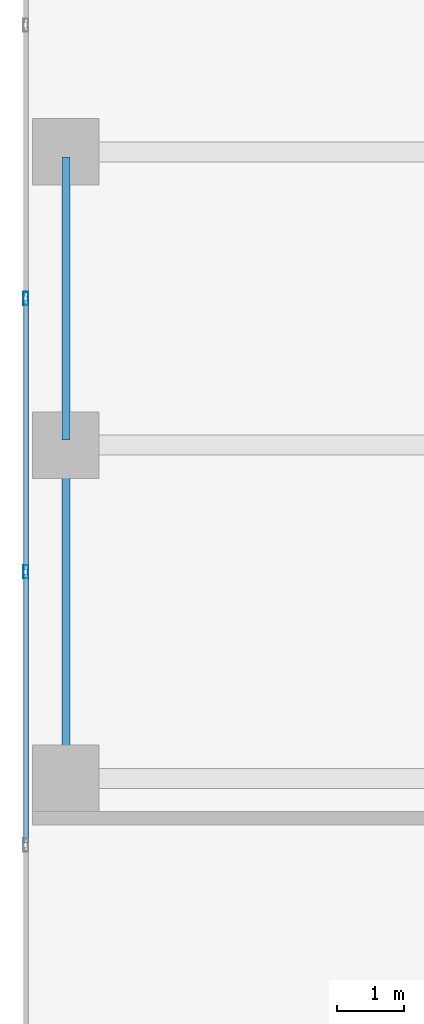
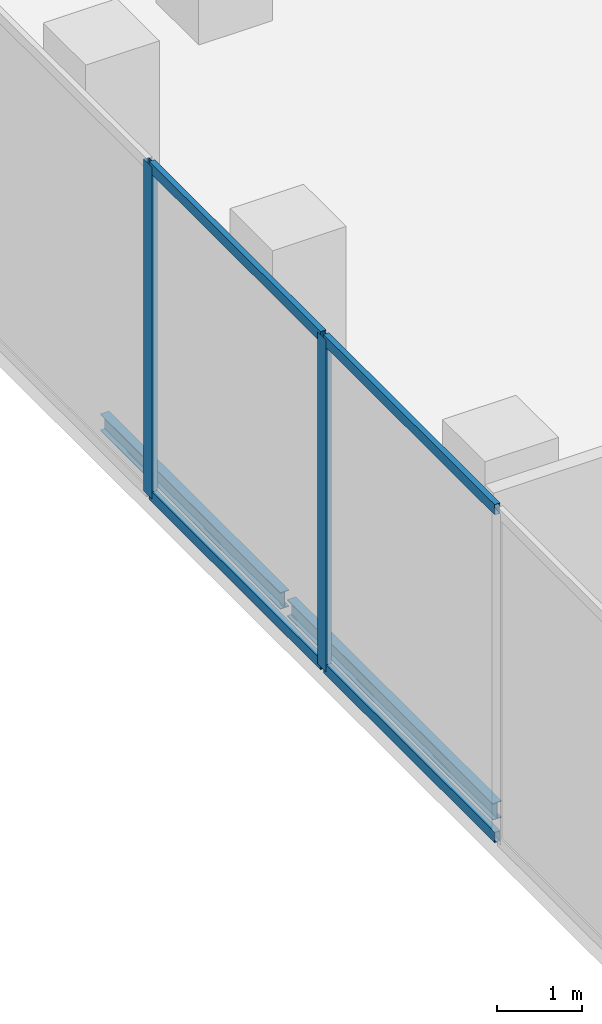
# One storey, part 3 of 24: 8 members, 1 element without a shape of its own.
"""IFC4 building model written with IfcOpenShell, lengths in metres."""

from ifc_helpers import new_model, si_unit, direction, frame, origin, origin_2d, place, context, subcontext, project, spatial, hollow_rectangle, i_section, extrude, material, layer, layer_set, material_profile, profile_set, type_object, element, aggregate, save


model = new_model("IFC4")

# Units and contexts
model_context = context("Model", 3, precision=1e-05, world=origin(), true_north=direction((0.0, 1.0)))
body_context = subcontext(model_context, "Body", "Model", "MODEL_VIEW")
ifc_project = project(units=[si_unit("LENGTHUNIT", "METRE"), si_unit("AREAUNIT", "SQUARE_METRE"), si_unit("VOLUMEUNIT", "CUBIC_METRE"), si_unit("PLANEANGLEUNIT", "RADIAN"), si_unit("MASSUNIT", "GRAM", prefix="KILO")], contexts=[model_context])

# Site, building, storey
site_placement = place(None, origin())
site = spatial("IfcSite", under=ifc_project, at=site_placement, CompositionType="ELEMENT")
building_placement = place(site_placement, origin())
building = spatial("IfcBuilding", under=site, at=building_placement, Name="Catumbela Crestline Tower", CompositionType="ELEMENT")
storey_placement = place(building_placement, frame((0.0, 0.0, 6.0)))
storey = spatial("IfcBuildingStorey", under=building, at=storey_placement, Name="L01", CompositionType="ELEMENT", Elevation=6.0)

# Members
ifc_material_1 = material(Name="Structural steel S355J2", Category="steel")
ifc_material_profile_1 = material_profile(ifc_material_1, i_section(OverallWidth=0.12, OverallDepth=0.24, WebThickness=0.0062, FlangeThickness=0.0098, FilletRadius=0.015, at=origin_2d()), Name="IPE 240")
ifc_profile_set_1 = profile_set([ifc_material_profile_1], Name="Structural steel S355J2")
member_type_1 = type_object("IfcMemberType", Name="MP-240", PredefinedType="PURLIN", material=ifc_profile_set_1)
member_1_placement = place(storey_placement, frame((0.6, 8.68, -0.44), z_axis=(0.0, 1.0, 0.0), x_axis=(-1.0, 0.0, 0.0)))
element("IfcMember", 1, at=member_1_placement, inside=storey, type_object=member_type_1, Name="L01 Ballroom West Perimeter Sub-Framing Purlin 1", PredefinedType="PURLIN", context=body_context, shape_type="SweptSolid", body=[
    extrude(i_section(OverallWidth=0.12, OverallDepth=0.24, WebThickness=0.0062, FlangeThickness=0.0098, FilletRadius=0.015, at=origin_2d()), origin(), (0.0, 0.0, 1.0), 4.84),
])
member_2_placement = place(storey_placement, frame((0.6, 13.68, -0.44), z_axis=(0.0, 1.0, 0.0), x_axis=(-1.0, 0.0, 0.0)))
element("IfcMember", 2, at=member_2_placement, inside=storey, type_object=member_type_1, Name="L01 Ballroom West Perimeter Sub-Framing Purlin 2", PredefinedType="PURLIN", context=body_context, shape_type="SweptSolid", body=[
    extrude(i_section(OverallWidth=0.12, OverallDepth=0.24, WebThickness=0.0062, FlangeThickness=0.0098, FilletRadius=0.015, at=origin_2d()), origin(), (0.0, 0.0, 1.0), 4.24),
])

# Curtain wall, members
ifc_material_2 = material(Name="Aluminium alloy AW-6060-T66", Category="aluminium")
ifc_layer = layer(ifc_material_2, 0.18, Name="Aluminium alloy AW-6060-T66")
ifc_layer_set = layer_set([ifc_layer], Name="Aluminium alloy AW-6060-T66")
curtain_wall_type = type_object("IfcCurtainWallType", Name="CWS-POD", PredefinedType="USERDEFINED", material=ifc_layer_set)
curtain_wall_placement = place(storey_placement, origin())
curtain_wall = element("IfcCurtainWall", 3, at=curtain_wall_placement, inside=storey, type_object=curtain_wall_type, Name="L01 Stick Curtain Wall CW-L01-E9S1", ObjectType="STICK", PredefinedType="USERDEFINED")
ifc_material_profile_2 = material_profile(ifc_material_2, hollow_rectangle(XDim=0.075, YDim=0.2, WallThickness=0.005, at=origin_2d()), Name="ALU 200x75x5")
ifc_profile_set_2 = profile_set([ifc_material_profile_2], Name="Aluminium alloy AW-6060-T66")
member_type_2 = type_object("IfcMemberType", Name="MUL-200X75", PredefinedType="MULLION", material=ifc_profile_set_2)
member_3_placement = place(storey_placement, frame((0.0, 15.8, 0.0), z_axis=(0.0, 0.0, 1.0), x_axis=(1.0, 0.0, 0.0)))
member_3 = element("IfcMember", 4, at=member_3_placement, type_object=member_type_2, Name="CWS-POD mullion 8", PredefinedType="MULLION", context=body_context, shape_type="SweptSolid", body=[
    extrude(hollow_rectangle(XDim=0.075, YDim=0.2, WallThickness=0.005, at=origin_2d()), origin(), (0.0, 0.0, 1.0), 4.77),
])
member_4_placement = place(storey_placement, frame((0.0, 11.7, 0.0), z_axis=(0.0, 0.0, 1.0), x_axis=(1.0, 0.0, 0.0)))
member_4 = element("IfcMember", 5, at=member_4_placement, type_object=member_type_2, Name="CWS-POD mullion 9", PredefinedType="MULLION", context=body_context, shape_type="SweptSolid", body=[
    extrude(hollow_rectangle(XDim=0.075, YDim=0.2, WallThickness=0.005, at=origin_2d()), origin(), (0.0, 0.0, 1.0), 4.77),
])
ifc_material_profile_3 = material_profile(ifc_material_2, hollow_rectangle(XDim=0.075, YDim=0.15, WallThickness=0.0045, at=origin_2d()), Name="ALU 150x75x4.5")
ifc_profile_set_3 = profile_set([ifc_material_profile_3], Name="Aluminium alloy AW-6060-T66")
member_type_3 = type_object("IfcMemberType", Name="TRN-150X75", PredefinedType="USERDEFINED", material=ifc_profile_set_3)
member_5_placement = place(storey_placement, frame((0.0, 15.7675, 0.03), z_axis=(0.0, -1.0, 0.0), x_axis=(1.0, 0.0, 0.0)))
member_5 = element("IfcMember", 6, at=member_5_placement, type_object=member_type_3, Name="CWS-POD transom 8.1", ObjectType="TRANSOM", PredefinedType="USERDEFINED", context=body_context, shape_type="SweptSolid", body=[
    extrude(hollow_rectangle(XDim=0.075, YDim=0.15, WallThickness=0.0045, at=origin_2d()), origin(), (0.0, 0.0, 1.0), 4.035),
])
member_6_placement = place(storey_placement, frame((0.0, 15.7675, 4.74), z_axis=(0.0, -1.0, 0.0), x_axis=(1.0, 0.0, 0.0)))
member_6 = element("IfcMember", 7, at=member_6_placement, type_object=member_type_3, Name="CWS-POD transom 8.2", ObjectType="TRANSOM", PredefinedType="USERDEFINED", context=body_context, shape_type="SweptSolid", body=[
    extrude(hollow_rectangle(XDim=0.075, YDim=0.15, WallThickness=0.0045, at=origin_2d()), origin(), (0.0, 0.0, 1.0), 4.035),
])
member_7_placement = place(storey_placement, frame((0.0, 11.6675, 0.03), z_axis=(0.0, -1.0, 0.0), x_axis=(1.0, 0.0, 0.0)))
member_7 = element("IfcMember", 8, at=member_7_placement, type_object=member_type_3, Name="CWS-POD transom 9.1", ObjectType="TRANSOM", PredefinedType="USERDEFINED", context=body_context, shape_type="SweptSolid", body=[
    extrude(hollow_rectangle(XDim=0.075, YDim=0.15, WallThickness=0.0045, at=origin_2d()), origin(), (0.0, 0.0, 1.0), 4.035),
])
member_8_placement = place(storey_placement, frame((0.0, 11.6675, 4.74), z_axis=(0.0, -1.0, 0.0), x_axis=(1.0, 0.0, 0.0)))
member_8 = element("IfcMember", 9, at=member_8_placement, type_object=member_type_3, Name="CWS-POD transom 9.2", ObjectType="TRANSOM", PredefinedType="USERDEFINED", context=body_context, shape_type="SweptSolid", body=[
    extrude(hollow_rectangle(XDim=0.075, YDim=0.15, WallThickness=0.0045, at=origin_2d()), origin(), (0.0, 0.0, 1.0), 4.035),
])
aggregate(curtain_wall, [member_3, member_4, member_5, member_6, member_7, member_8])

save(model, "model.ifc")
